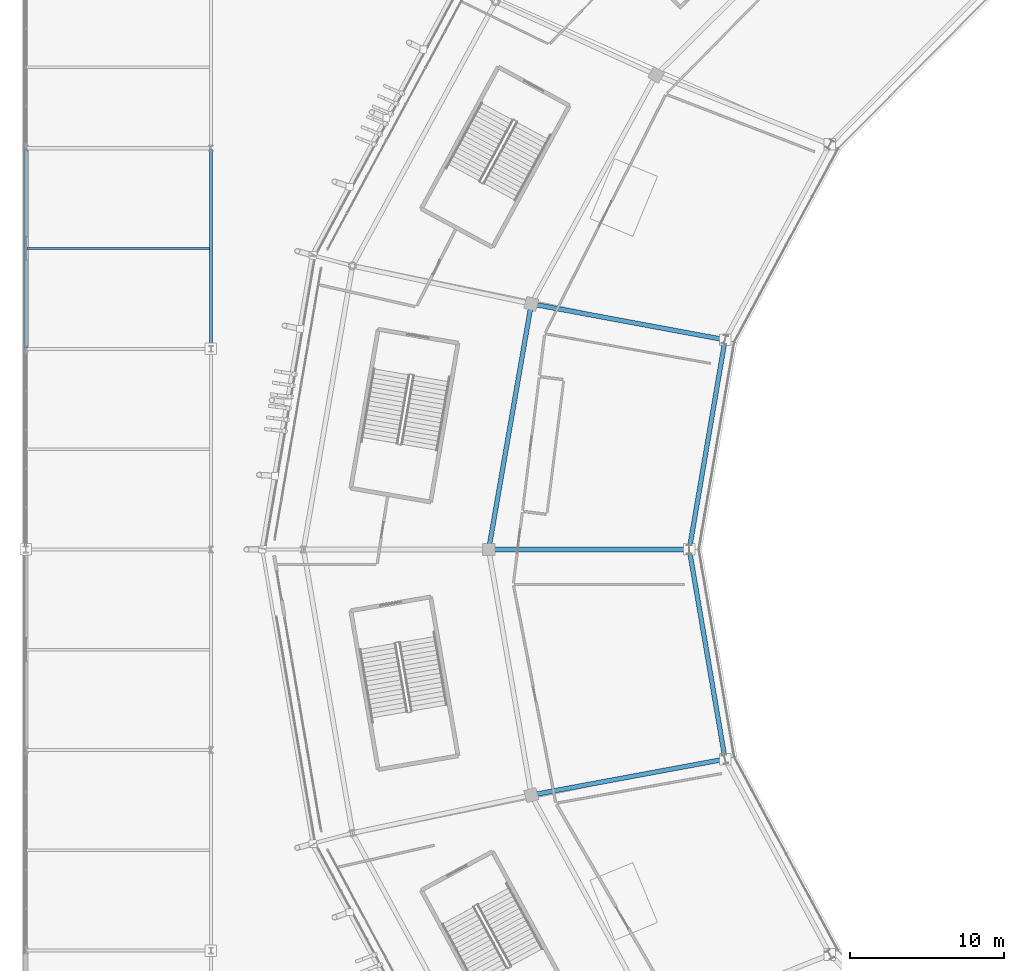
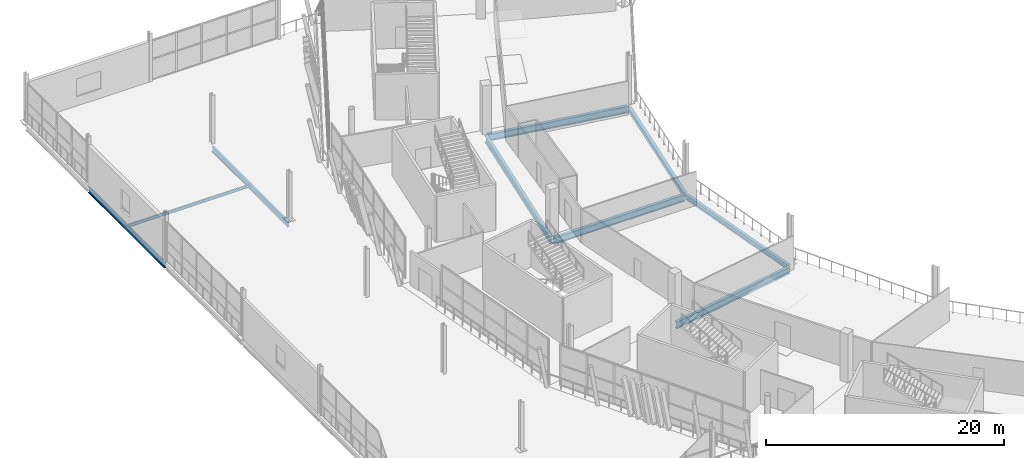
# One storey, part 42 of 179: 9 beams.
"""IFC4 building model written with IfcOpenShell, lengths in metres."""

import ifcopenshell
import ifcopenshell.guid

model = None  # the IFC model being written
_history = None  # IfcOwnerHistory: only IFC2X3 demands one
_inside = {}  # id of a spatial element -> (the spatial element, [elements in it])
_under = {}  # id of a project, library or spatial element -> (it, [spatial elements below it])
_declared = {}  # id of a project -> (the project, [libraries it declares])
_typed = {}  # id of a type object -> (the type object, [elements of that type])
_made_of = {}  # id of a material, layer set ... -> (it, [elements and type objects made of it])


def new_model(schema):
    """Start an empty IFC model of exactly this schema.

    Asked for "IFC4X3", IfcOpenShell would pick the latest addendum, in which some entities
    have other attributes; the version numbers below select the first issue.
    IFC2X3 requires an IfcOwnerHistory on every rooted entity: one is made here for all.
    """
    global model, _history
    if schema == "IFC4X3":
        model = ifcopenshell.file(schema_version=(4, 3, 0, 0))
    else:
        model = ifcopenshell.file(schema=schema)
    _inside.clear()
    _under.clear()
    _declared.clear()
    _typed.clear()
    _made_of.clear()
    _history = None
    if model.schema == "IFC2X3":
        org = make("IfcOrganization", Name="unknown")
        user = make(
            "IfcPersonAndOrganization",
            ThePerson=make("IfcPerson", FamilyName="unknown"),
            TheOrganization=org,
        )
        app = make(
            "IfcApplication",
            ApplicationDeveloper=org,
            Version="unknown",
            ApplicationFullName="unknown",
            ApplicationIdentifier="unknown",
        )
        _history = make(
            "IfcOwnerHistory",
            OwningUser=user,
            OwningApplication=app,
            ChangeAction="ADDED",
            CreationDate=0,
        )
    return model


def make(cls, **values):
    """One entity of the class cls with the attributes given. An attribute that is None is left unset."""
    return model.create_entity(
        cls, **{name: value for name, value in values.items() if value is not None}
    )


def rooted(cls, **values):
    """An entity with a GlobalId (a new one), such as an element, a storey or a relation."""
    return make(cls, GlobalId=ifcopenshell.guid.new(), OwnerHistory=_history, **values)


def si_unit(unit_type, name, prefix=None):
    """IfcSIUnit, for example si_unit("LENGTHUNIT", "METRE", prefix="MILLI")."""
    return make("IfcSIUnit", UnitType=unit_type, Prefix=prefix, Name=name)


def assignment(units):
    """IfcUnitAssignment: the units of a project."""
    return None if units is None else make("IfcUnitAssignment", Units=units)


def point(xyz):
    """IfcCartesianPoint."""
    return None if xyz is None else make("IfcCartesianPoint", Coordinates=xyz)


def direction(xyz):
    """IfcDirection."""
    return None if xyz is None else make("IfcDirection", DirectionRatios=xyz)


def frame(location, z_axis=None, x_axis=None):
    """IfcAxis2Placement3D, a coordinate frame: its origin and axes. An axis left out is left unset."""
    return make(
        "IfcAxis2Placement3D",
        Location=point(location),
        Axis=direction(z_axis),
        RefDirection=direction(x_axis),
    )


def frame_2d(location, x_axis=None):
    """IfcAxis2Placement2D, a coordinate frame in the plane: its origin and x axis."""
    return make(
        "IfcAxis2Placement2D", Location=point(location), RefDirection=direction(x_axis)
    )


def origin():
    """The frame at (0, 0, 0) with its axes left unset."""
    return frame((0.0, 0.0, 0.0))


def origin_2d():
    """The frame at (0, 0) in the plane with its x axis left unset."""
    return frame_2d((0.0, 0.0))


def place(relative_to, where):
    """IfcLocalPlacement: puts the frame where relative to a parent placement (None: the world)."""
    return make(
        "IfcLocalPlacement", PlacementRelTo=relative_to, RelativePlacement=where
    )


def context(
    kind, dimensions, precision=None, world=None, true_north=None, identifier=None
):
    """IfcGeometricRepresentationContext, for example the 3D "Model" context."""
    return make(
        "IfcGeometricRepresentationContext",
        ContextIdentifier=identifier,
        ContextType=kind,
        CoordinateSpaceDimension=dimensions,
        Precision=precision,
        WorldCoordinateSystem=world,
        TrueNorth=true_north,
    )


def subcontext(parent, identifier, kind, view, scale=None):
    """IfcGeometricRepresentationSubContext, for example "Body" below "Model"."""
    return make(
        "IfcGeometricRepresentationSubContext",
        ContextIdentifier=identifier,
        ContextType=kind,
        ParentContext=parent,
        TargetScale=scale,
        TargetView=view,
    )


def project(units=None, contexts=None):
    """IfcProject with its units and contexts."""
    return rooted(
        "IfcProject",
        Name="project",
        RepresentationContexts=contexts,
        UnitsInContext=assignment(units),
    )


def spatial(cls, under=None, at=None, **own):
    """A site, building, storey or space (cls), placed at a placement, below another one or the project."""
    s = rooted(cls, ObjectPlacement=at, **own)
    if under is not None:
        _under.setdefault(under.id(), (under, []))[1].append(s)
    return s


def profile(cls, at=None, kind="AREA", **sizes):
    """A parametric profile (cls). Its sizes go by their IFC names, for example OverallWidth=200.0."""
    return make(cls, ProfileType=kind, Position=at, **sizes)


def i_section(**sizes):
    """IfcIShapeProfileDef."""
    return profile("IfcIShapeProfileDef", **sizes)


def extrude(swept, where, along, depth):
    """IfcExtrudedAreaSolid: the profile swept, set in the frame where, extruded along a direction by depth."""
    return make(
        "IfcExtrudedAreaSolid",
        SweptArea=swept,
        Position=where,
        ExtrudedDirection=direction(along),
        Depth=depth,
    )


def shape(context_of_items, identifier, shape_type, items):
    """IfcShapeRepresentation: the items that make up one representation, for example the "Body"."""
    return make(
        "IfcShapeRepresentation",
        ContextOfItems=context_of_items,
        RepresentationIdentifier=identifier,
        RepresentationType=shape_type,
        Items=items,
    )


def material(Name=None, Category=None):
    """IfcMaterial."""
    return make("IfcMaterial", Name=Name, Category=Category)


def material_profile(
    of_material, cross_section, Name=None, Category=None, Priority=None
):
    """IfcMaterialProfile: a cross section and its material."""
    return make(
        "IfcMaterialProfile",
        Name=Name,
        Material=of_material,
        Profile=cross_section,
        Priority=Priority,
        Category=Category,
    )


def profile_set(profiles, Name=None, composite=None):
    """IfcMaterialProfileSet."""
    return make(
        "IfcMaterialProfileSet",
        Name=Name,
        MaterialProfiles=profiles,
        CompositeProfile=composite,
    )


def made_of(thing, what):
    """Note that an element or type object is made of a material, layer set ...; save() writes the relation."""
    if what is not None:
        _made_of.setdefault(what.id(), (what, []))[1].append(thing)
    return thing


def type_object(cls, material=None, **own):
    """A type object (cls), such as IfcWallType, which elements share."""
    return made_of(rooted(cls, **own), material)


def element(
    cls,
    number,
    at=None,
    inside=None,
    cuts=None,
    type_object=None,
    material=None,
    context=None,
    identifier="Body",
    shape_type=None,
    held_by="IfcProductDefinitionShape",
    body=None,
    shapes=None,
    **own,
):
    """One element of the class cls, such as IfcWall. Its Tag is "e" and its number.

    at: its placement. inside: the storey or other place that contains it. cuts: it is an
    opening in that element (IfcRelVoidsElement). A single representation is given by context,
    identifier, shape_type and body (its items); several are given by shapes. held_by: the class
    of the entity that holds the representations. save() writes the other relations.
    """
    e = rooted(cls, Tag="e%d" % number, ObjectPlacement=at, **own)
    if body is not None:
        shapes = [shape(context, identifier, shape_type, body)]
    if shapes is not None:
        e.Representation = make(held_by, Representations=shapes)
    if inside is not None:
        _inside.setdefault(inside.id(), (inside, []))[1].append(e)
    if cuts is not None:
        rooted(
            "IfcRelVoidsElement", RelatingBuildingElement=cuts, RelatedOpeningElement=e
        )
    if type_object is not None:
        _typed.setdefault(type_object.id(), (type_object, []))[1].append(e)
    return made_of(e, material)


def aggregate(whole, parts):
    """IfcRelAggregates: a whole, such as a stair, and the parts it consists of."""
    return rooted("IfcRelAggregates", RelatingObject=whole, RelatedObjects=parts)


def save(model, path):
    """Write the relations noted so far, then the file.

    IfcRelAggregates (storeys below a building ...), IfcRelContainedInSpatialStructure (elements
    in a storey), IfcRelDefinesByType, IfcRelAssociatesMaterial and IfcRelDeclares: one each for
    every whole, place, type object, material and project.
    """
    for whole, parts in _under.values():
        aggregate(whole, parts)
    for where, things in _inside.values():
        rooted(
            "IfcRelContainedInSpatialStructure",
            RelatedElements=things,
            RelatingStructure=where,
        )
    for kind, things in _typed.values():
        rooted("IfcRelDefinesByType", RelatedObjects=things, RelatingType=kind)
    for what, things in _made_of.values():
        rooted("IfcRelAssociatesMaterial", RelatedObjects=things, RelatingMaterial=what)
    for by, libraries in _declared.values():
        rooted("IfcRelDeclares", RelatingContext=by, RelatedDefinitions=libraries)
    model.write(path)


model = new_model("IFC4")

# Units and contexts
model_context = context("Model", 3, precision=1e-05, world=origin(), true_north=direction((0.0, 1.0)))
body_context = subcontext(model_context, "Body", "Model", "MODEL_VIEW")
ifc_project = project(units=[si_unit("LENGTHUNIT", "METRE"), si_unit("AREAUNIT", "SQUARE_METRE"), si_unit("VOLUMEUNIT", "CUBIC_METRE"), si_unit("PLANEANGLEUNIT", "RADIAN"), si_unit("MASSUNIT", "GRAM", prefix="KILO")], contexts=[model_context])

# Site, building, storey
site_placement = place(None, origin())
site = spatial("IfcSite", under=ifc_project, at=site_placement, CompositionType="ELEMENT")
building_placement = place(site_placement, origin())
building = spatial("IfcBuilding", under=site, at=building_placement, Name="Zlatoyarsky Gate Stadium", CompositionType="ELEMENT")
storey_placement = place(building_placement, frame((0.0, 0.0, 10.60009765625)))
storey = spatial("IfcBuildingStorey", under=building, at=storey_placement, Name="L02", CompositionType="ELEMENT", Elevation=10.60009765625)

# Beams
ifc_material = material(Name="Steel S355", Category="steel")
ifc_material_profile_1 = material_profile(ifc_material, i_section(OverallWidth=0.2099609375, OverallDepth=0.550048828125, WebThickness=0.010986328125, FlangeThickness=0.01708984375, FilletRadius=0.02392578125, at=origin_2d()), Name="IPE 550")
ifc_profile_set_1 = profile_set([ifc_material_profile_1], Name="Steel S355")
beam_type_1 = type_object("IfcBeamType", Name="STEEL FLOOR BEAM IPE 550", PredefinedType="BEAM", material=ifc_profile_set_1)
for number, where, z_axis, x_axis, name in (
    (1, (0.0, 93.080078125, -0.55517578125), (0.0, 1.0, 0.0), (-1.0, 0.0, 0.0), "Beam B-IPE550 BM-L02-WGY-1-J"),
    (2, (12.0, 93.080078125, -0.55517578125), (0.0, 1.0, 0.0), (-1.0, 0.0, 0.0), "Beam B-IPE550 BM-L02-WGY-2-J"),
):
    element("IfcBeam", number, at=place(storey_placement, frame(where, z_axis=z_axis, x_axis=x_axis)), inside=storey, type_object=beam_type_1, Name=name, PredefinedType="BEAM", context=body_context, shape_type="SweptSolid", body=[
        extrude(i_section(OverallWidth=0.2099609375, OverallDepth=0.550048828125, WebThickness=0.010986328125, FlangeThickness=0.01708984375, FilletRadius=0.02392578125, at=origin_2d()), origin(), (0.0, 0.0, 1.0), 12.83984375),
    ])
ifc_material_profile_2 = material_profile(ifc_material, i_section(OverallWidth=0.300048828125, OverallDepth=0.5, WebThickness=0.014404296875, FlangeThickness=0.028076171875, FilletRadius=0.027099609375, at=origin_2d()), Name="HEB 500")
ifc_profile_set_2 = profile_set([ifc_material_profile_2], Name="Steel S355")
beam_type_2 = type_object("IfcBeamType", Name="STEEL PRIMARY GIRDER HEB 500", PredefinedType="BEAM", material=ifc_profile_set_2)
for number, where, z_axis, x_axis, name in (
    (3, (45.296875, 93.4697265625, -0.530029296875), (-0.168089694981, -0.985771705032, 0.0), (0.985771705032, -0.168089694981, 0.0), "Beam G-HEB500 BM-L02-CRA-11"),
    (4, (43.020263671875, 79.881591796875, -0.530029296875), (0.168089694981, -0.985771705032, 0.0), (0.985771705032, 0.168089694981, 0.0), "Beam G-HEB500 BM-L02-CRA-12"),
):
    element("IfcBeam", number, at=place(storey_placement, frame(where, z_axis=z_axis, x_axis=x_axis)), inside=storey, type_object=beam_type_2, Name=name, PredefinedType="BEAM", context=body_context, shape_type="SweptSolid", body=[
        extrude(i_section(OverallWidth=0.300048828125, OverallDepth=0.5, WebThickness=0.014404296875, FlangeThickness=0.028076171875, FilletRadius=0.027099609375, at=origin_2d()), origin(), (0.0, 0.0, 1.0), 13.5439453125),
    ])
ifc_material_profile_3 = material_profile(ifc_material, i_section(OverallWidth=0.300048828125, OverallDepth=0.699951171875, WebThickness=0.01708984375, FlangeThickness=0.031982421875, FilletRadius=0.027099609375, at=origin_2d()), Name="HEB 700")
ifc_profile_set_3 = profile_set([ifc_material_profile_3], Name="Steel S355")
beam_type_3 = type_object("IfcBeamType", Name="STEEL PRIMARY GIRDER HEB 700", PredefinedType="BEAM", material=ifc_profile_set_3)
beam_1_placement = place(storey_placement, frame((45.198974609375, 93.60986328125, -0.630126953125), z_axis=(-0.98322524088, 0.182395519946, 0.0), x_axis=(-0.182395519946, -0.98322524088, 0.0)))
element("IfcBeam", 5, at=beam_1_placement, inside=storey, type_object=beam_type_3, Name="Beam G-HEB700 BM-L02-RAB-11", PredefinedType="BEAM", context=body_context, shape_type="SweptSolid", body=[
    extrude(i_section(OverallWidth=0.300048828125, OverallDepth=0.699951171875, WebThickness=0.01708984375, FlangeThickness=0.031982421875, FilletRadius=0.027099609375, at=origin_2d()), origin(), (0.0, 0.0, 1.0), 12.53125),
])
beam_2_placement = place(storey_placement, frame((32.739501953125, 95.79931640625, -0.630126953125), z_axis=(-0.170843315562, -0.985298209441, 0.0), x_axis=(0.985298209441, -0.170843315562, 0.0)))
element("IfcBeam", 6, at=beam_2_placement, inside=storey, type_object=beam_type_3, Name="Beam G-HEB700 BM-L02-CRB-11", PredefinedType="BEAM", context=body_context, shape_type="SweptSolid", body=[
    extrude(i_section(OverallWidth=0.300048828125, OverallDepth=0.699951171875, WebThickness=0.01708984375, FlangeThickness=0.031982421875, FilletRadius=0.027099609375, at=origin_2d()), origin(), (0.0, 0.0, 1.0), 15.9150390625),
])
beam_3_placement = place(storey_placement, frame((42.8798828125, 80.0, -0.630126953125), z_axis=(-1.0, 0.0, 0.0), x_axis=(0.0, -1.0, 0.0)))
element("IfcBeam", 7, at=beam_3_placement, inside=storey, type_object=beam_type_3, Name="Beam G-HEB700 BM-L02-RAB-12", PredefinedType="BEAM", context=body_context, shape_type="SweptSolid", body=[
    extrude(i_section(OverallWidth=0.300048828125, OverallDepth=0.699951171875, WebThickness=0.01708984375, FlangeThickness=0.031982421875, FilletRadius=0.027099609375, at=origin_2d()), origin(), (0.0, 0.0, 1.0), 12.759765625),
])
beam_4_placement = place(storey_placement, frame((45.198974609375, 66.39013671875, -0.630126953125), z_axis=(-0.98322524088, -0.182395519946, 0.0), x_axis=(0.182395519946, -0.98322524088, 0.0)))
element("IfcBeam", 8, at=beam_4_placement, inside=storey, type_object=beam_type_3, Name="Beam G-HEB700 BM-L02-RAB-13", PredefinedType="BEAM", context=body_context, shape_type="SweptSolid", body=[
    extrude(i_section(OverallWidth=0.300048828125, OverallDepth=0.699951171875, WebThickness=0.01708984375, FlangeThickness=0.031982421875, FilletRadius=0.027099609375, at=origin_2d()), origin(), (0.0, 0.0, 1.0), 12.53125),
])
ifc_material_profile_4 = material_profile(ifc_material, i_section(OverallWidth=0.14990234375, OverallDepth=0.300048828125, WebThickness=0.007080078125, FlangeThickness=0.0107421875, FilletRadius=0.014892578125, at=origin_2d()), Name="IPE 300")
ifc_profile_set_4 = profile_set([ifc_material_profile_4], Name="Steel S355")
beam_type_4 = type_object("IfcBeamType", Name="STEEL SECONDARY JOIST IPE 300", PredefinedType="JOIST", material=ifc_profile_set_4)
beam_5_placement = place(storey_placement, frame((0.090087890625, 99.5, -0.43017578125), z_axis=(1.0, 0.0, 0.0), x_axis=(0.0, 1.0, 0.0)))
element("IfcBeam", 9, at=beam_5_placement, inside=storey, type_object=beam_type_4, Name="Beam J-IPE300 JST-L02-1-J", PredefinedType="JOIST", context=body_context, shape_type="SweptSolid", body=[
    extrude(i_section(OverallWidth=0.14990234375, OverallDepth=0.300048828125, WebThickness=0.007080078125, FlangeThickness=0.0107421875, FilletRadius=0.014892578125, at=origin_2d()), origin(), (0.0, 0.0, 1.0), 11.81982421875),
])

save(model, "model.ifc")
